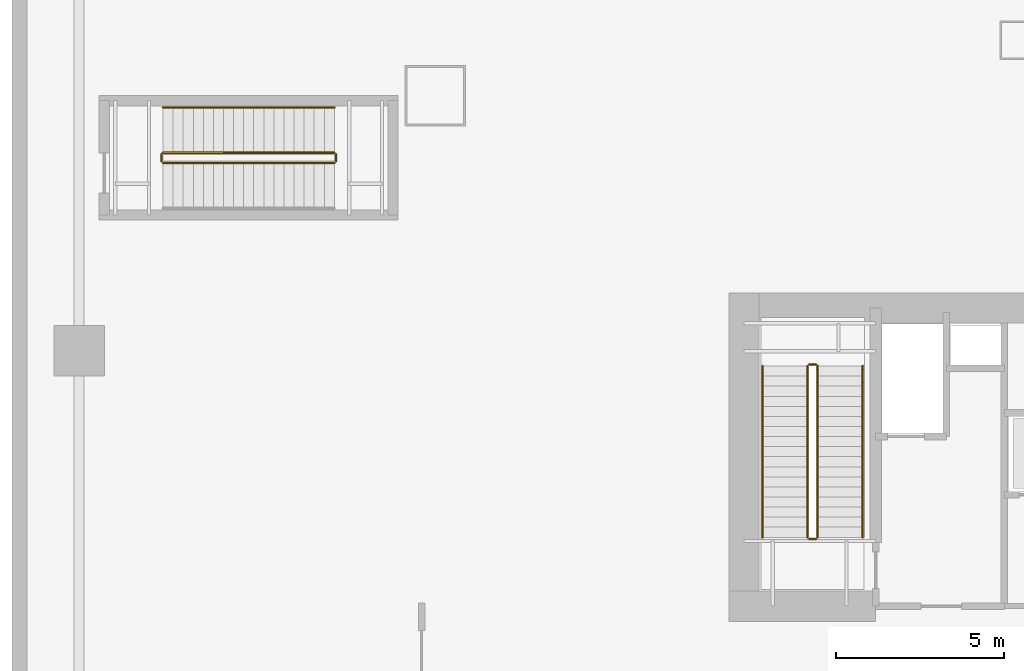
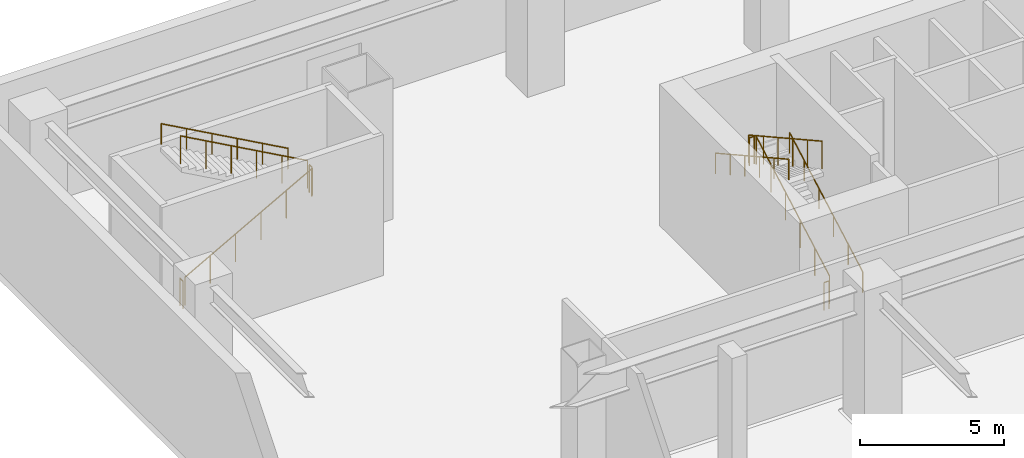
# One storey, part 23 of 31: 11 railings.
"""IFC4 building model written with IfcOpenShell, lengths in metres."""

import ifcopenshell
import ifcopenshell.guid

model = None  # the IFC model being written
_history = None  # IfcOwnerHistory: only IFC2X3 demands one
_inside = {}  # id of a spatial element -> (the spatial element, [elements in it])
_under = {}  # id of a project, library or spatial element -> (it, [spatial elements below it])
_declared = {}  # id of a project -> (the project, [libraries it declares])
_typed = {}  # id of a type object -> (the type object, [elements of that type])
_made_of = {}  # id of a material, layer set ... -> (it, [elements and type objects made of it])


def new_model(schema):
    """Start an empty IFC model of exactly this schema.

    Asked for "IFC4X3", IfcOpenShell would pick the latest addendum, in which some entities
    have other attributes; the version numbers below select the first issue.
    IFC2X3 requires an IfcOwnerHistory on every rooted entity: one is made here for all.
    """
    global model, _history
    if schema == "IFC4X3":
        model = ifcopenshell.file(schema_version=(4, 3, 0, 0))
    else:
        model = ifcopenshell.file(schema=schema)
    _inside.clear()
    _under.clear()
    _declared.clear()
    _typed.clear()
    _made_of.clear()
    _history = None
    if model.schema == "IFC2X3":
        org = make("IfcOrganization", Name="unknown")
        user = make(
            "IfcPersonAndOrganization",
            ThePerson=make("IfcPerson", FamilyName="unknown"),
            TheOrganization=org,
        )
        app = make(
            "IfcApplication",
            ApplicationDeveloper=org,
            Version="unknown",
            ApplicationFullName="unknown",
            ApplicationIdentifier="unknown",
        )
        _history = make(
            "IfcOwnerHistory",
            OwningUser=user,
            OwningApplication=app,
            ChangeAction="ADDED",
            CreationDate=0,
        )
    return model


def make(cls, **values):
    """One entity of the class cls with the attributes given. An attribute that is None is left unset."""
    return model.create_entity(
        cls, **{name: value for name, value in values.items() if value is not None}
    )


def rooted(cls, **values):
    """An entity with a GlobalId (a new one), such as an element, a storey or a relation."""
    return make(cls, GlobalId=ifcopenshell.guid.new(), OwnerHistory=_history, **values)


def si_unit(unit_type, name, prefix=None):
    """IfcSIUnit, for example si_unit("LENGTHUNIT", "METRE", prefix="MILLI")."""
    return make("IfcSIUnit", UnitType=unit_type, Prefix=prefix, Name=name)


def assignment(units):
    """IfcUnitAssignment: the units of a project."""
    return None if units is None else make("IfcUnitAssignment", Units=units)


def point(xyz):
    """IfcCartesianPoint."""
    return None if xyz is None else make("IfcCartesianPoint", Coordinates=xyz)


def direction(xyz):
    """IfcDirection."""
    return None if xyz is None else make("IfcDirection", DirectionRatios=xyz)


def frame(location, z_axis=None, x_axis=None):
    """IfcAxis2Placement3D, a coordinate frame: its origin and axes. An axis left out is left unset."""
    return make(
        "IfcAxis2Placement3D",
        Location=point(location),
        Axis=direction(z_axis),
        RefDirection=direction(x_axis),
    )


def frame_2d(location, x_axis=None):
    """IfcAxis2Placement2D, a coordinate frame in the plane: its origin and x axis."""
    return make(
        "IfcAxis2Placement2D", Location=point(location), RefDirection=direction(x_axis)
    )


def origin():
    """The frame at (0, 0, 0) with its axes left unset."""
    return frame((0.0, 0.0, 0.0))


def origin_2d():
    """The frame at (0, 0) in the plane with its x axis left unset."""
    return frame_2d((0.0, 0.0))


def place(relative_to, where):
    """IfcLocalPlacement: puts the frame where relative to a parent placement (None: the world)."""
    return make(
        "IfcLocalPlacement", PlacementRelTo=relative_to, RelativePlacement=where
    )


def context(
    kind, dimensions, precision=None, world=None, true_north=None, identifier=None
):
    """IfcGeometricRepresentationContext, for example the 3D "Model" context."""
    return make(
        "IfcGeometricRepresentationContext",
        ContextIdentifier=identifier,
        ContextType=kind,
        CoordinateSpaceDimension=dimensions,
        Precision=precision,
        WorldCoordinateSystem=world,
        TrueNorth=true_north,
    )


def subcontext(parent, identifier, kind, view, scale=None):
    """IfcGeometricRepresentationSubContext, for example "Body" below "Model"."""
    return make(
        "IfcGeometricRepresentationSubContext",
        ContextIdentifier=identifier,
        ContextType=kind,
        ParentContext=parent,
        TargetScale=scale,
        TargetView=view,
    )


def project(units=None, contexts=None):
    """IfcProject with its units and contexts."""
    return rooted(
        "IfcProject",
        Name="project",
        RepresentationContexts=contexts,
        UnitsInContext=assignment(units),
    )


def spatial(cls, under=None, at=None, **own):
    """A site, building, storey or space (cls), placed at a placement, below another one or the project."""
    s = rooted(cls, ObjectPlacement=at, **own)
    if under is not None:
        _under.setdefault(under.id(), (under, []))[1].append(s)
    return s


def profile(cls, at=None, kind="AREA", **sizes):
    """A parametric profile (cls). Its sizes go by their IFC names, for example OverallWidth=200.0."""
    return make(cls, ProfileType=kind, Position=at, **sizes)


def circle(**sizes):
    """IfcCircleProfileDef."""
    return profile("IfcCircleProfileDef", **sizes)


def extrude(swept, where, along, depth):
    """IfcExtrudedAreaSolid: the profile swept, set in the frame where, extruded along a direction by depth."""
    return make(
        "IfcExtrudedAreaSolid",
        SweptArea=swept,
        Position=where,
        ExtrudedDirection=direction(along),
        Depth=depth,
    )


def shape(context_of_items, identifier, shape_type, items):
    """IfcShapeRepresentation: the items that make up one representation, for example the "Body"."""
    return make(
        "IfcShapeRepresentation",
        ContextOfItems=context_of_items,
        RepresentationIdentifier=identifier,
        RepresentationType=shape_type,
        Items=items,
    )


def material(Name=None, Category=None):
    """IfcMaterial."""
    return make("IfcMaterial", Name=Name, Category=Category)


def made_of(thing, what):
    """Note that an element or type object is made of a material, layer set ...; save() writes the relation."""
    if what is not None:
        _made_of.setdefault(what.id(), (what, []))[1].append(thing)
    return thing


def type_object(cls, material=None, **own):
    """A type object (cls), such as IfcWallType, which elements share."""
    return made_of(rooted(cls, **own), material)


def element(
    cls,
    number,
    at=None,
    inside=None,
    cuts=None,
    type_object=None,
    material=None,
    context=None,
    identifier="Body",
    shape_type=None,
    held_by="IfcProductDefinitionShape",
    body=None,
    shapes=None,
    **own,
):
    """One element of the class cls, such as IfcWall. Its Tag is "e" and its number.

    at: its placement. inside: the storey or other place that contains it. cuts: it is an
    opening in that element (IfcRelVoidsElement). A single representation is given by context,
    identifier, shape_type and body (its items); several are given by shapes. held_by: the class
    of the entity that holds the representations. save() writes the other relations.
    """
    e = rooted(cls, Tag="e%d" % number, ObjectPlacement=at, **own)
    if body is not None:
        shapes = [shape(context, identifier, shape_type, body)]
    if shapes is not None:
        e.Representation = make(held_by, Representations=shapes)
    if inside is not None:
        _inside.setdefault(inside.id(), (inside, []))[1].append(e)
    if cuts is not None:
        rooted(
            "IfcRelVoidsElement", RelatingBuildingElement=cuts, RelatedOpeningElement=e
        )
    if type_object is not None:
        _typed.setdefault(type_object.id(), (type_object, []))[1].append(e)
    return made_of(e, material)


def aggregate(whole, parts):
    """IfcRelAggregates: a whole, such as a stair, and the parts it consists of."""
    return rooted("IfcRelAggregates", RelatingObject=whole, RelatedObjects=parts)


def save(model, path):
    """Write the relations noted so far, then the file.

    IfcRelAggregates (storeys below a building ...), IfcRelContainedInSpatialStructure (elements
    in a storey), IfcRelDefinesByType, IfcRelAssociatesMaterial and IfcRelDeclares: one each for
    every whole, place, type object, material and project.
    """
    for whole, parts in _under.values():
        aggregate(whole, parts)
    for where, things in _inside.values():
        rooted(
            "IfcRelContainedInSpatialStructure",
            RelatedElements=things,
            RelatingStructure=where,
        )
    for kind, things in _typed.values():
        rooted("IfcRelDefinesByType", RelatedObjects=things, RelatingType=kind)
    for what, things in _made_of.values():
        rooted("IfcRelAssociatesMaterial", RelatedObjects=things, RelatingMaterial=what)
    for by, libraries in _declared.values():
        rooted("IfcRelDeclares", RelatingContext=by, RelatedDefinitions=libraries)
    model.write(path)


model = new_model("IFC4")

# Units and contexts
model_context = context("Model", 3, precision=1e-05, world=origin(), true_north=direction((0.0, 1.0)))
body_context = subcontext(model_context, "Body", "Model", "MODEL_VIEW")
ifc_project = project(units=[si_unit("LENGTHUNIT", "METRE"), si_unit("AREAUNIT", "SQUARE_METRE"), si_unit("VOLUMEUNIT", "CUBIC_METRE"), si_unit("PLANEANGLEUNIT", "RADIAN"), si_unit("MASSUNIT", "GRAM", prefix="KILO")], contexts=[model_context])

# Site, building, storey
site_placement = place(None, origin())
site = spatial("IfcSite", under=ifc_project, at=site_placement, CompositionType="ELEMENT")
building_placement = place(site_placement, origin())
building = spatial("IfcBuilding", under=site, at=building_placement, Name="Qiaolan Cultural Towers", CompositionType="ELEMENT")
storey_placement = place(building_placement, origin())
storey = spatial("IfcBuildingStorey", under=building, at=storey_placement, Name="L00", CompositionType="ELEMENT", Elevation=0.0)

# Railings
ifc_material_1 = material(Name="Galvanized Painted Steel Stair Guardrail", Category="steel")
railing_type_1 = type_object("IfcRailingType", Name="RL-STAIR-GRD", PredefinedType="GUARDRAIL", material=ifc_material_1)
railing_1_placement = place(storey_placement, frame((23.989990234375, 48.449951171875, 0.166748046875)))
element("IfcRailing", 1, at=railing_1_placement, inside=storey, type_object=railing_type_1, Name="L00 ST-W2 stair guard 1", PredefinedType="GUARDRAIL", context=body_context, shape_type="SweptSolid", body=[
    extrude(circle(Radius=0.02392578125, at=origin_2d()), frame((0.0, 0.0, 1.17578125), z_axis=(0.0, 0.874167145328, 0.485625166182), x_axis=(-1.0, 0.0, 0.0)), (0.0, 0.0, 1.0), 5.834228515625),
    extrude(circle(Radius=0.02099609375, at=origin_2d()), origin(), (0.0, 0.0, 1.0), 1.15185546875),
    extrude(circle(Radius=0.02099609375, at=origin_2d()), frame((0.0, 1.02001953125, 0.566650390625)), (0.0, 0.0, 1.0), 1.15185546875),
    extrude(circle(Radius=0.02099609375, at=origin_2d()), frame((0.0, 2.0400390625, 1.13330078125)), (0.0, 0.0, 1.0), 1.15185546875),
    extrude(circle(Radius=0.02099609375, at=origin_2d()), frame((0.0, 3.06005859375, 1.699951171875)), (0.0, 0.0, 1.0), 1.15185546875),
    extrude(circle(Radius=0.02099609375, at=origin_2d()), frame((0.0, 4.080078125, 2.2666015625)), (0.0, 0.0, 1.0), 1.15185546875),
    extrude(circle(Radius=0.02099609375, at=origin_2d()), frame((0.0, 5.10009765625, 2.833251953125)), (0.0, 0.0, 1.0), 1.15185546875),
])
railing_2_placement = place(storey_placement, frame((23.93994140625, 53.60009765625, 3.0)))
element("IfcRailing", 2, at=railing_2_placement, inside=storey, type_object=railing_type_1, Name="L00 ST-W2 stair guard 2", PredefinedType="GUARDRAIL", context=body_context, shape_type="SweptSolid", body=[
    extrude(circle(Radius=0.02392578125, at=origin_2d()), frame((0.0, 0.0, 1.17578125), z_axis=(-1.0, 0.0, 0.0), x_axis=(0.0, -1.0, 0.0)), (0.0, 0.0, 1.0), 0.199951171875),
    extrude(circle(Radius=0.02099609375, at=origin_2d()), origin(), (0.0, 0.0, 1.0), 1.15185546875),
    extrude(circle(Radius=0.02099609375, at=origin_2d()), frame((-0.199951171875, 0.0, 0.0)), (0.0, 0.0, 1.0), 1.15185546875),
])
railing_3_placement = place(storey_placement, frame((23.68994140625, 53.550048828125, 3.166748046875)))
element("IfcRailing", 3, at=railing_3_placement, inside=storey, type_object=railing_type_1, Name="L00 ST-W2 stair guard 3", PredefinedType="GUARDRAIL", context=body_context, shape_type="SweptSolid", body=[
    extrude(circle(Radius=0.02392578125, at=origin_2d()), frame((0.0, 0.0, 1.17578125), z_axis=(0.0, -0.874167145328, 0.485625166182), x_axis=(1.0, 0.0, 0.0)), (0.0, 0.0, 1.0), 5.834228515625),
    extrude(circle(Radius=0.02099609375, at=origin_2d()), origin(), (0.0, 0.0, 1.0), 1.15185546875),
    extrude(circle(Radius=0.02099609375, at=origin_2d()), frame((0.0, -1.02001953125, 0.566650390625)), (0.0, 0.0, 1.0), 1.15185546875),
    extrude(circle(Radius=0.02099609375, at=origin_2d()), frame((0.0, -2.0400390625, 1.13330078125)), (0.0, 0.0, 1.0), 1.15185546875),
    extrude(circle(Radius=0.02099609375, at=origin_2d()), frame((0.0, -3.06005859375, 1.699951171875)), (0.0, 0.0, 1.0), 1.15185546875),
    extrude(circle(Radius=0.02099609375, at=origin_2d()), frame((0.0, -4.080078125, 2.2666015625)), (0.0, 0.0, 1.0), 1.15185546875),
    extrude(circle(Radius=0.02099609375, at=origin_2d()), frame((0.0, -5.10009765625, 2.833251953125)), (0.0, 0.0, 1.0), 1.15185546875),
])
railing_4_placement = place(storey_placement, frame((23.93994140625, 48.39990234375, 0.0)))
element("IfcRailing", 4, at=railing_4_placement, inside=storey, type_object=railing_type_1, Name="L00 ST-W2 stair guard 4", PredefinedType="GUARDRAIL", context=body_context, shape_type="SweptSolid", body=[
    extrude(circle(Radius=0.02392578125, at=origin_2d()), frame((0.0, 0.0, 1.17578125), z_axis=(-1.0, 0.0, 0.0), x_axis=(0.0, -1.0, 0.0)), (0.0, 0.0, 1.0), 0.199951171875),
    extrude(circle(Radius=0.02099609375, at=origin_2d()), origin(), (0.0, 0.0, 1.0), 1.15185546875),
    extrude(circle(Radius=0.02099609375, at=origin_2d()), frame((-0.199951171875, 0.0, 0.0)), (0.0, 0.0, 1.0), 1.15185546875),
])
railing_5_placement = place(storey_placement, frame((4.5, 59.60009765625, 0.166748046875)))
element("IfcRailing", 5, at=railing_5_placement, inside=storey, type_object=railing_type_1, Name="L00 ST-P1 stair guard 1", PredefinedType="GUARDRAIL", context=body_context, shape_type="SweptSolid", body=[
    extrude(circle(Radius=0.02392578125, at=origin_2d()), frame((0.0, 0.0, 1.17578125), z_axis=(0.874167145328, 0.0, 0.485625166182), x_axis=(0.0, 1.0, 0.0)), (0.0, 0.0, 1.0), 5.834228515625),
    extrude(circle(Radius=0.02099609375, at=origin_2d()), origin(), (0.0, 0.0, 1.0), 1.15185546875),
    extrude(circle(Radius=0.02099609375, at=origin_2d()), frame((1.02001953125, 0.0, 0.566650390625)), (0.0, 0.0, 1.0), 1.15185546875),
    extrude(circle(Radius=0.02099609375, at=origin_2d()), frame((2.0400390625, 0.0, 1.13330078125)), (0.0, 0.0, 1.0), 1.15185546875),
    extrude(circle(Radius=0.02099609375, at=origin_2d()), frame((3.06005859375, 0.0, 1.699951171875)), (0.0, 0.0, 1.0), 1.15185546875),
    extrude(circle(Radius=0.02099609375, at=origin_2d()), frame((4.080078125, 0.0, 2.2666015625)), (0.0, 0.0, 1.0), 1.15185546875),
    extrude(circle(Radius=0.02099609375, at=origin_2d()), frame((5.10009765625, 0.0, 2.833251953125)), (0.0, 0.0, 1.0), 1.15185546875),
])
railing_6_placement = place(storey_placement, frame((9.64990234375, 59.64990234375, 3.0)))
element("IfcRailing", 6, at=railing_6_placement, inside=storey, type_object=railing_type_1, Name="L00 ST-P1 stair guard 2", PredefinedType="GUARDRAIL", context=body_context, shape_type="SweptSolid", body=[
    extrude(circle(Radius=0.02392578125, at=origin_2d()), frame((0.0, 0.0, 1.17578125), z_axis=(0.0, 1.0, 0.0), x_axis=(-1.0, 0.0, 0.0)), (0.0, 0.0, 1.0), 0.2001953125),
    extrude(circle(Radius=0.02099609375, at=origin_2d()), origin(), (0.0, 0.0, 1.0), 1.15185546875),
    extrude(circle(Radius=0.02099609375, at=origin_2d()), frame((0.0, 0.2001953125, 0.0)), (0.0, 0.0, 1.0), 1.15185546875),
])
railing_7_placement = place(storey_placement, frame((9.60009765625, 59.89990234375, 3.166748046875)))
element("IfcRailing", 7, at=railing_7_placement, inside=storey, type_object=railing_type_1, Name="L00 ST-P1 stair guard 3", PredefinedType="GUARDRAIL", context=body_context, shape_type="SweptSolid", body=[
    extrude(circle(Radius=0.02392578125, at=origin_2d()), frame((0.0, 0.0, 1.17578125), z_axis=(-0.874167145328, 0.0, 0.485625166182), x_axis=(0.0, -1.0, 0.0)), (0.0, 0.0, 1.0), 5.834228515625),
    extrude(circle(Radius=0.02099609375, at=origin_2d()), origin(), (0.0, 0.0, 1.0), 1.15185546875),
    extrude(circle(Radius=0.02099609375, at=origin_2d()), frame((-1.02001953125, 0.0, 0.566650390625)), (0.0, 0.0, 1.0), 1.15185546875),
    extrude(circle(Radius=0.02099609375, at=origin_2d()), frame((-2.0400390625, 0.0, 1.13330078125)), (0.0, 0.0, 1.0), 1.15185546875),
    extrude(circle(Radius=0.02099609375, at=origin_2d()), frame((-3.06005859375, 0.0, 1.699951171875)), (0.0, 0.0, 1.0), 1.15185546875),
    extrude(circle(Radius=0.02099609375, at=origin_2d()), frame((-4.080078125, 0.0, 2.2666015625)), (0.0, 0.0, 1.0), 1.15185546875),
    extrude(circle(Radius=0.02099609375, at=origin_2d()), frame((-5.10009765625, 0.0, 2.833251953125)), (0.0, 0.0, 1.0), 1.15185546875),
])
railing_8_placement = place(storey_placement, frame((4.449951171875, 59.64990234375, 0.0)))
element("IfcRailing", 8, at=railing_8_placement, inside=storey, type_object=railing_type_1, Name="L00 ST-P1 stair guard 4", PredefinedType="GUARDRAIL", context=body_context, shape_type="SweptSolid", body=[
    extrude(circle(Radius=0.02392578125, at=origin_2d()), frame((0.0, 0.0, 1.17578125), z_axis=(0.0, 1.0, 0.0), x_axis=(-1.0, 0.0, 0.0)), (0.0, 0.0, 1.0), 0.2001953125),
    extrude(circle(Radius=0.02099609375, at=origin_2d()), origin(), (0.0, 0.0, 1.0), 1.15185546875),
    extrude(circle(Radius=0.02099609375, at=origin_2d()), frame((0.0, 0.2001953125, 0.0)), (0.0, 0.0, 1.0), 1.15185546875),
])
ifc_material_2 = material(Name="Stainless Steel S30408 Tubular Handrail", Category="steel")
railing_type_2 = type_object("IfcRailingType", Name="RL-STAIR-HR", PredefinedType="HANDRAIL", material=ifc_material_2)
railing_9_placement = place(storey_placement, frame((25.330078125, 48.449951171875, 0.166748046875)))
element("IfcRailing", 9, at=railing_9_placement, inside=storey, type_object=railing_type_2, Name="L00 ST-W2 stair handrail 1", PredefinedType="HANDRAIL", context=body_context, shape_type="SweptSolid", body=[
    extrude(circle(Radius=0.02392578125, at=origin_2d()), frame((0.0, 0.0, 0.8759765625), z_axis=(0.0, 0.874167145328, 0.485625166182), x_axis=(-1.0, 0.0, 0.0)), (0.0, 0.0, 1.0), 5.834228515625),
    extrude(circle(Radius=0.02099609375, at=origin_2d()), origin(), (0.0, 0.0, 1.0), 0.851806640625),
    extrude(circle(Radius=0.02099609375, at=origin_2d()), frame((0.0, 1.02001953125, 0.566650390625)), (0.0, 0.0, 1.0), 0.851806640625),
    extrude(circle(Radius=0.02099609375, at=origin_2d()), frame((0.0, 2.0400390625, 1.13330078125)), (0.0, 0.0, 1.0), 0.851806640625),
    extrude(circle(Radius=0.02099609375, at=origin_2d()), frame((0.0, 3.06005859375, 1.699951171875)), (0.0, 0.0, 1.0), 0.851806640625),
    extrude(circle(Radius=0.02099609375, at=origin_2d()), frame((0.0, 4.080078125, 2.2666015625)), (0.0, 0.0, 1.0), 0.851806640625),
    extrude(circle(Radius=0.02099609375, at=origin_2d()), frame((0.0, 5.10009765625, 2.833251953125)), (0.0, 0.0, 1.0), 0.851806640625),
])
railing_10_placement = place(storey_placement, frame((22.35009765625, 53.550048828125, 3.166748046875)))
element("IfcRailing", 10, at=railing_10_placement, inside=storey, type_object=railing_type_2, Name="L00 ST-W2 stair handrail 2", PredefinedType="HANDRAIL", context=body_context, shape_type="SweptSolid", body=[
    extrude(circle(Radius=0.02392578125, at=origin_2d()), frame((0.0, 0.0, 0.8759765625), z_axis=(0.0, -0.874167145328, 0.485625166182), x_axis=(1.0, 0.0, 0.0)), (0.0, 0.0, 1.0), 5.834228515625),
    extrude(circle(Radius=0.02099609375, at=origin_2d()), origin(), (0.0, 0.0, 1.0), 0.851806640625),
    extrude(circle(Radius=0.02099609375, at=origin_2d()), frame((0.0, -1.02001953125, 0.566650390625)), (0.0, 0.0, 1.0), 0.851806640625),
    extrude(circle(Radius=0.02099609375, at=origin_2d()), frame((0.0, -2.0400390625, 1.13330078125)), (0.0, 0.0, 1.0), 0.851806640625),
    extrude(circle(Radius=0.02099609375, at=origin_2d()), frame((0.0, -3.06005859375, 1.699951171875)), (0.0, 0.0, 1.0), 0.851806640625),
    extrude(circle(Radius=0.02099609375, at=origin_2d()), frame((0.0, -4.080078125, 2.2666015625)), (0.0, 0.0, 1.0), 0.851806640625),
    extrude(circle(Radius=0.02099609375, at=origin_2d()), frame((0.0, -5.10009765625, 2.833251953125)), (0.0, 0.0, 1.0), 0.851806640625),
])
railing_11_placement = place(storey_placement, frame((9.60009765625, 61.25, 3.166748046875)))
element("IfcRailing", 11, at=railing_11_placement, inside=storey, type_object=railing_type_2, Name="L00 ST-P1 stair handrail 2", PredefinedType="HANDRAIL", context=body_context, shape_type="SweptSolid", body=[
    extrude(circle(Radius=0.02392578125, at=origin_2d()), frame((0.0, 0.0, 0.8759765625), z_axis=(-0.874167145328, 0.0, 0.485625166182), x_axis=(0.0, -1.0, 0.0)), (0.0, 0.0, 1.0), 5.834228515625),
    extrude(circle(Radius=0.02099609375, at=origin_2d()), origin(), (0.0, 0.0, 1.0), 0.851806640625),
    extrude(circle(Radius=0.02099609375, at=origin_2d()), frame((-1.02001953125, 0.0, 0.566650390625)), (0.0, 0.0, 1.0), 0.851806640625),
    extrude(circle(Radius=0.02099609375, at=origin_2d()), frame((-2.0400390625, 0.0, 1.13330078125)), (0.0, 0.0, 1.0), 0.851806640625),
    extrude(circle(Radius=0.02099609375, at=origin_2d()), frame((-3.06005859375, 0.0, 1.699951171875)), (0.0, 0.0, 1.0), 0.851806640625),
    extrude(circle(Radius=0.02099609375, at=origin_2d()), frame((-4.080078125, 0.0, 2.2666015625)), (0.0, 0.0, 1.0), 0.851806640625),
    extrude(circle(Radius=0.02099609375, at=origin_2d()), frame((-5.10009765625, 0.0, 2.833251953125)), (0.0, 0.0, 1.0), 0.851806640625),
])

save(model, "model.ifc")
